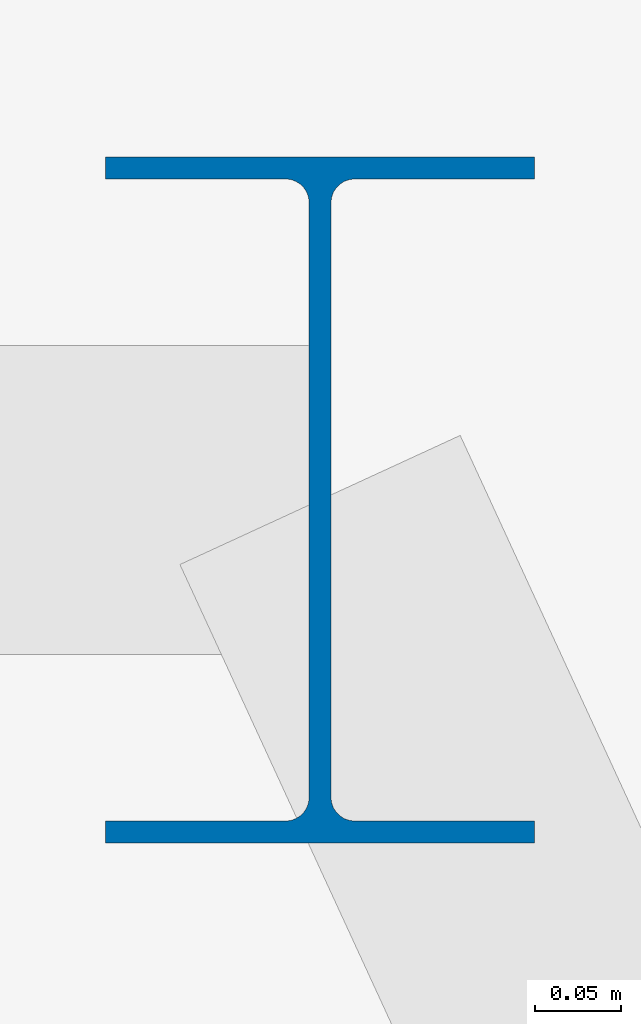
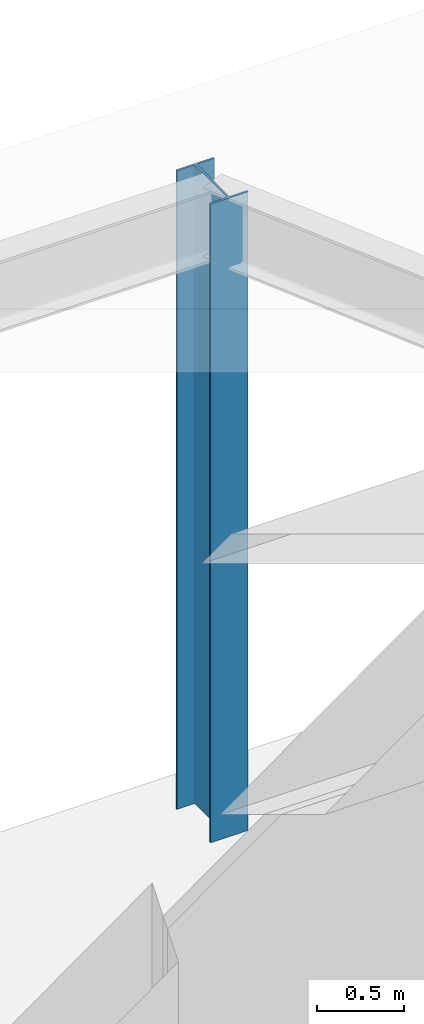
# One storey, part 8 of 31: 1 column.
"""IFC4 building model written with IfcOpenShell, lengths in metres."""

from ifc_helpers import new_model, si_unit, direction, frame, origin, origin_2d, place, context, subcontext, project, spatial, i_section, extrude, source, transform, mapped, material, material_profile, profile_set, type_object, element, save


model = new_model("IFC4")

# Units and contexts
model_context = context("Model", 3, precision=1e-05, world=origin(), true_north=direction((0.0, 1.0)))
body_context = subcontext(model_context, "Body", "Model", "MODEL_VIEW")
ifc_project = project(units=[si_unit("LENGTHUNIT", "METRE"), si_unit("AREAUNIT", "SQUARE_METRE"), si_unit("VOLUMEUNIT", "CUBIC_METRE"), si_unit("PLANEANGLEUNIT", "RADIAN"), si_unit("MASSUNIT", "GRAM", prefix="KILO")], contexts=[model_context])

# Site, building, storey
site_placement = place(None, origin())
site = spatial("IfcSite", under=ifc_project, at=site_placement, CompositionType="ELEMENT")
building_placement = place(site_placement, origin())
building = spatial("IfcBuilding", under=site, at=building_placement, Name="Sahyath Konkavel Grand Hotel", CompositionType="ELEMENT")
storey_placement = place(building_placement, origin())
storey = spatial("IfcBuildingStorey", under=building, at=storey_placement, Name="L00", CompositionType="ELEMENT", Elevation=0.0)

# Column
ifc_material = material(Name="Steel E350", Category="steel")
ifc_material_profile = material_profile(ifc_material, i_section(OverallWidth=0.25, OverallDepth=0.39990234375, WebThickness=0.0126953125, FlangeThickness=0.0126953125, FilletRadius=0.013916015625, at=origin_2d()), Name="ISHB 400")
ifc_profile_set = profile_set([ifc_material_profile], Name="Steel E350")
column_type = type_object("IfcColumnType", Name="COL-ISHB400", PredefinedType="COLUMN", material=ifc_profile_set)
shared_shape = source(origin(), body_context, "Body", "SweptSolid", [
    extrude(i_section(OverallWidth=0.25, OverallDepth=0.39990234375, WebThickness=0.0126953125, FlangeThickness=0.0126953125, FilletRadius=0.013916015625, at=origin_2d()), origin(), (0.0, 0.0, 1.0), 4.47998046875),
])
column_placement = place(storey_placement, frame((14.5, 28.10009765625, 0.0), z_axis=(0.0, 0.0, 1.0), x_axis=(1.0, 0.0, 0.0)))
element("IfcColumn", 1, at=column_placement, inside=storey, type_object=column_type, Name="L00 Metro Portal Wing Column PW-N2", PredefinedType="COLUMN", context=body_context, shape_type="MappedRepresentation", body=[
    mapped(shared_shape, transform((0.0, 0.0, 0.0), scale=1.0)),
])

save(model, "model.ifc")
